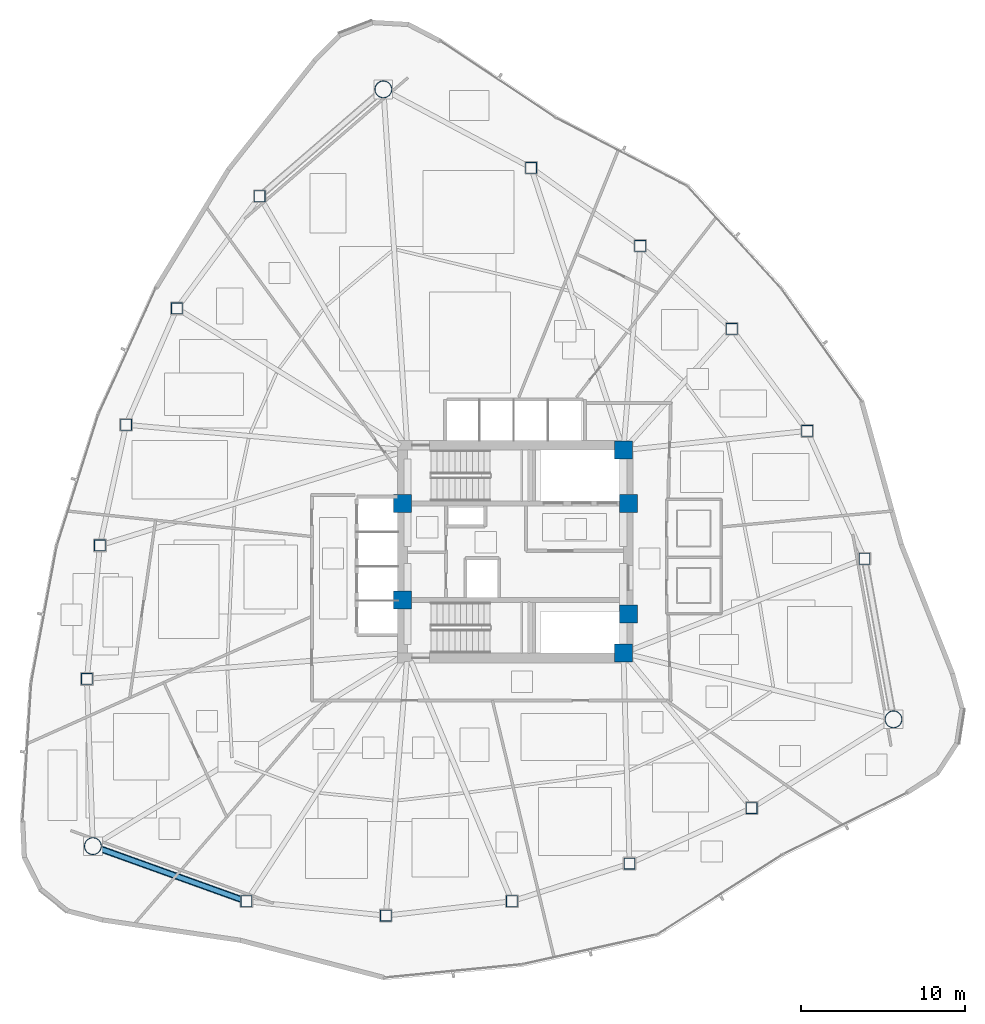
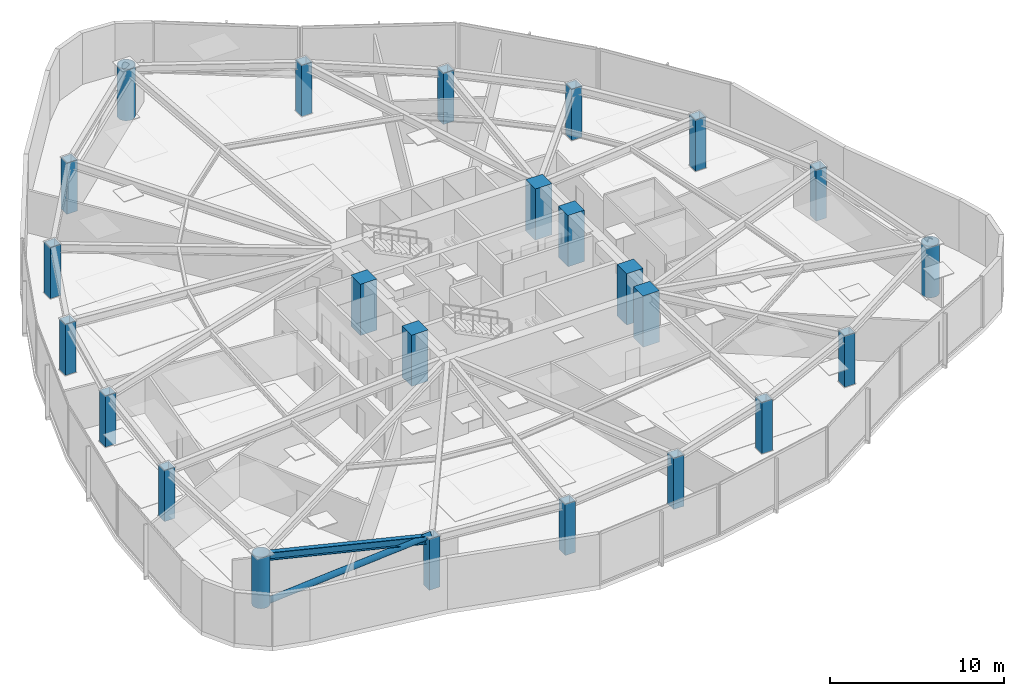
# One storey, part 1 of 18: 24 columns, 1 beam, 1 member.
"""IFC4 building model written with IfcOpenShell, lengths in metres."""

from ifc_helpers import new_model, si_unit, direction, frame, origin, origin_2d, place, context, subcontext, project, spatial, rectangle, hollow_rectangle, hollow_circle, i_section, extrude, material, material_profile, profile_set, type_object, element, save


model = new_model("IFC4")

# Units and contexts
model_context = context("Model", 3, precision=1e-05, world=origin(), true_north=direction((0.0, 1.0)))
body_context = subcontext(model_context, "Body", "Model", "MODEL_VIEW")
ifc_project = project(units=[si_unit("LENGTHUNIT", "METRE"), si_unit("AREAUNIT", "SQUARE_METRE"), si_unit("VOLUMEUNIT", "CUBIC_METRE"), si_unit("PLANEANGLEUNIT", "RADIAN"), si_unit("MASSUNIT", "GRAM", prefix="KILO")], contexts=[model_context])

# Site, building, storey
site_placement = place(None, origin())
site = spatial("IfcSite", under=ifc_project, at=site_placement, CompositionType="ELEMENT")
building_placement = place(site_placement, origin())
building = spatial("IfcBuilding", under=site, at=building_placement, Name="Tavelor Broadcast Tower", CompositionType="ELEMENT")
storey_placement = place(building_placement, frame((0.0, 0.0, 62.699951171875)))
storey = spatial("IfcBuildingStorey", under=building, at=storey_placement, Name="L14", CompositionType="ELEMENT", Elevation=62.699951171875)

# Columns
ifc_material_1 = material(Name="Concrete C60/75", Category="concrete")
ifc_material_profile_1 = material_profile(ifc_material_1, rectangle(XDim=1.10009765625, YDim=1.10009765625, at=origin_2d()), Name="RC 1100x1100")
ifc_profile_set_1 = profile_set([ifc_material_profile_1], Name="Concrete C60/75")
column_type_1 = type_object("IfcColumnType", Name="Core Embedded Composite Column RC1100", PredefinedType="COLUMN", material=ifc_profile_set_1)
for number, where, z_axis, x_axis, name in (
    (1, (43.10009765625, 47.949951171875, 0.0), (0.0, 0.0, 1.0), (1.0, 0.0, 0.0), "L14 Core Embedded Column 1"),
    (2, (56.89990234375, 47.949951171875, 0.0), (0.0, 0.0, 1.0), (1.0, 0.0, 0.0), "L14 Core Embedded Column 2"),
    (3, (56.60009765625, 51.199951171875, 0.0), (0.0, 0.0, 1.0), (1.0, 0.0, 0.0), "L14 Core Embedded Column 3"),
    (4, (43.10009765625, 42.050048828125, 0.0), (0.0, 0.0, 1.0), (1.0, 0.0, 0.0), "L14 Core Embedded Column 4"),
    (5, (56.89990234375, 41.199951171875, 0.0), (0.0, 0.0, 1.0), (1.0, 0.0, 0.0), "L14 Core Embedded Column 5"),
    (6, (56.60009765625, 38.800048828125, 0.0), (0.0, 0.0, 1.0), (1.0, 0.0, 0.0), "L14 Core Embedded Column 6"),
):
    element("IfcColumn", number, at=place(storey_placement, frame(where, z_axis=z_axis, x_axis=x_axis)), inside=storey, type_object=column_type_1, Name=name, PredefinedType="COLUMN", context=body_context, shape_type="SweptSolid", body=[
        extrude(rectangle(XDim=1.10009765625, YDim=1.10009765625, at=origin_2d()), origin(), (0.0, 0.0, 1.0), 3.60009765625),
    ])
ifc_material_2 = material(Name="Steel S460", Category="steel")
ifc_material_profile_2 = material_profile(ifc_material_2, hollow_rectangle(XDim=0.699951171875, YDim=0.699951171875, WallThickness=0.0400390625, at=origin_2d()), Name="SHS 700x700x40")
ifc_profile_set_2 = profile_set([ifc_material_profile_2], Name="Steel S460")
column_type_2 = type_object("IfcColumnType", Name="Perimeter Tube Column T2 SHS 700x700x40", PredefinedType="COLUMN", material=ifc_profile_set_2)
for number, where, z_axis, x_axis, name in (
    (7, (34.356201171875, 66.727783203125, 0.0), (0.0, 0.0, 1.0), (1.0, 0.0, 0.0), "L14 Perimeter Framed-Tube Column 02"),
    (8, (29.292236328125, 59.87158203125, 0.0), (0.0, 0.0, 1.0), (1.0, 0.0, 0.0), "L14 Perimeter Framed-Tube Column 03"),
    (9, (26.189208984375, 52.75830078125, 0.0), (0.0, 0.0, 1.0), (1.0, 0.0, 0.0), "L14 Perimeter Framed-Tube Column 04"),
    (10, (24.58984375, 45.380615234375, 0.0), (0.0, 0.0, 1.0), (1.0, 0.0, 0.0), "L14 Perimeter Framed-Tube Column 05"),
    (11, (23.794677734375, 37.21630859375, 0.0), (0.0, 0.0, 1.0), (1.0, 0.0, 0.0), "L14 Perimeter Framed-Tube Column 06"),
    (12, (33.55078125, 23.615478515625, 0.0), (0.0, 0.0, 1.0), (1.0, 0.0, 0.0), "L14 Perimeter Framed-Tube Column 08"),
    (13, (42.0732421875, 22.740478515625, 0.0), (0.0, 0.0, 1.0), (1.0, 0.0, 0.0), "L14 Perimeter Framed-Tube Column 09"),
    (14, (49.78662109375, 23.617919921875, 0.0), (0.0, 0.0, 1.0), (1.0, 0.0, 0.0), "L14 Perimeter Framed-Tube Column 10"),
    (15, (56.975341796875, 25.92138671875, 0.0), (0.0, 0.0, 1.0), (1.0, 0.0, 0.0), "L14 Perimeter Framed-Tube Column 11"),
    (16, (64.443603515625, 29.31494140625, 0.0), (0.0, 0.0, 1.0), (1.0, 0.0, 0.0), "L14 Perimeter Framed-Tube Column 12"),
    (17, (71.343994140625, 44.564697265625, 0.0), (0.0, 0.0, 1.0), (1.0, 0.0, 0.0), "L14 Perimeter Framed-Tube Column 14"),
    (18, (67.8408203125, 52.382568359375, 0.0), (0.0, 0.0, 1.0), (1.0, 0.0, 0.0), "L14 Perimeter Framed-Tube Column 15"),
    (19, (63.22412109375, 58.623779296875, 0.0), (0.0, 0.0, 1.0), (1.0, 0.0, 0.0), "L14 Perimeter Framed-Tube Column 16"),
    (20, (57.634765625, 63.69775390625, 0.0), (0.0, 0.0, 1.0), (1.0, 0.0, 0.0), "L14 Perimeter Framed-Tube Column 17"),
    (21, (50.9619140625, 68.468505859375, 0.0), (0.0, 0.0, 1.0), (1.0, 0.0, 0.0), "L14 Perimeter Framed-Tube Column 18"),
):
    element("IfcColumn", number, at=place(storey_placement, frame(where, z_axis=z_axis, x_axis=x_axis)), inside=storey, type_object=column_type_2, Name=name, PredefinedType="COLUMN", context=body_context, shape_type="SweptSolid", body=[
        extrude(hollow_rectangle(XDim=0.699951171875, YDim=0.699951171875, WallThickness=0.0400390625, at=origin_2d()), origin(), (0.0, 0.0, 1.0), 3.60009765625),
    ])
ifc_material_profile_3 = material_profile(ifc_material_2, hollow_circle(Radius=0.533447265625, WallThickness=0.044921875, at=origin_2d()), Name="CHS 1067x45")
ifc_profile_set_3 = profile_set([ifc_material_profile_3], Name="Steel S460")
column_type_3 = type_object("IfcColumnType", Name="Tower Mega Column T2 CHS 1067x45", PredefinedType="COLUMN", material=ifc_profile_set_3)
for number, where, z_axis, x_axis, name in (
    (22, (41.923095703125, 73.266357421875, 0.0), (0.0, 0.0, 1.0), (1.0, 0.0, 0.0), "L14 Tower Corner Mega Column 01"),
    (23, (24.1591796875, 26.98974609375, 0.0), (0.0, 0.0, 1.0), (1.0, 0.0, 0.0), "L14 Tower Corner Mega Column 07"),
    (24, (73.117919921875, 34.743896484375, 0.0), (0.0, 0.0, 1.0), (1.0, 0.0, 0.0), "L14 Tower Corner Mega Column 13"),
):
    element("IfcColumn", number, at=place(storey_placement, frame(where, z_axis=z_axis, x_axis=x_axis)), inside=storey, type_object=column_type_3, Name=name, PredefinedType="COLUMN", context=body_context, shape_type="SweptSolid", body=[
        extrude(hollow_circle(Radius=0.533447265625, WallThickness=0.044921875, at=origin_2d()), origin(), (0.0, 0.0, 1.0), 3.60009765625),
    ])

# Beam
ifc_material_3 = material(Name="Steel S355", Category="steel")
ifc_material_profile_4 = material_profile(ifc_material_3, i_section(OverallWidth=0.300048828125, OverallDepth=0.550048828125, WebThickness=0.014892578125, FlangeThickness=0.029052734375, at=origin_2d()), Name="HEB 550")
ifc_profile_set_4 = profile_set([ifc_material_profile_4], Name="Steel S355")
beam_type = type_object("IfcBeamType", Name="Perimeter Spandrel Beam T2 HEB 550", PredefinedType="SPANDREL", material=ifc_profile_set_4)
beam_placement = place(storey_placement, frame((24.64111328125, 26.81640625, 3.324951171875), z_axis=(0.941105692238, -0.338112519789, 0.0), x_axis=(0.338112519789, 0.941105692238, 0.0)))
element("IfcBeam", 25, at=beam_placement, inside=storey, type_object=beam_type, Name="L14 Framed-Tube Ring Spandrel 07", PredefinedType="SPANDREL", context=body_context, shape_type="SweptSolid", body=[
    extrude(i_section(OverallWidth=0.300048828125, OverallDepth=0.550048828125, WebThickness=0.014892578125, FlangeThickness=0.029052734375, at=origin_2d()), origin(), (0.0, 0.0, 1.0), 9.13134765625),
])

# Member
ifc_material_profile_5 = material_profile(ifc_material_3, hollow_circle(Radius=0.203125, WallThickness=0.02001953125, at=origin_2d()), Name="CHS 406.4x20")
ifc_profile_set_5 = profile_set([ifc_material_profile_5], Name="Steel S355")
member_type = type_object("IfcMemberType", Name="Perimeter Tube Brace T2 CHS 406.4x20", PredefinedType="BRACE", material=ifc_profile_set_5)
member_placement = place(storey_placement, frame((24.1591796875, 26.98974609375, 0.0), z_axis=(0.885257630536, -0.318060354363, 0.339347224183), x_axis=(0.338124247145, 0.941101478849, 0.0)))
element("IfcMember", 26, at=member_placement, inside=storey, type_object=member_type, Name="L14 Corner Tube Diagonal Brace 2", PredefinedType="BRACE", context=body_context, shape_type="SweptSolid", body=[
    extrude(hollow_circle(Radius=0.203125, WallThickness=0.02001953125, at=origin_2d()), origin(), (0.0, 0.0, 1.0), 10.60888671875),
])

save(model, "model.ifc")
